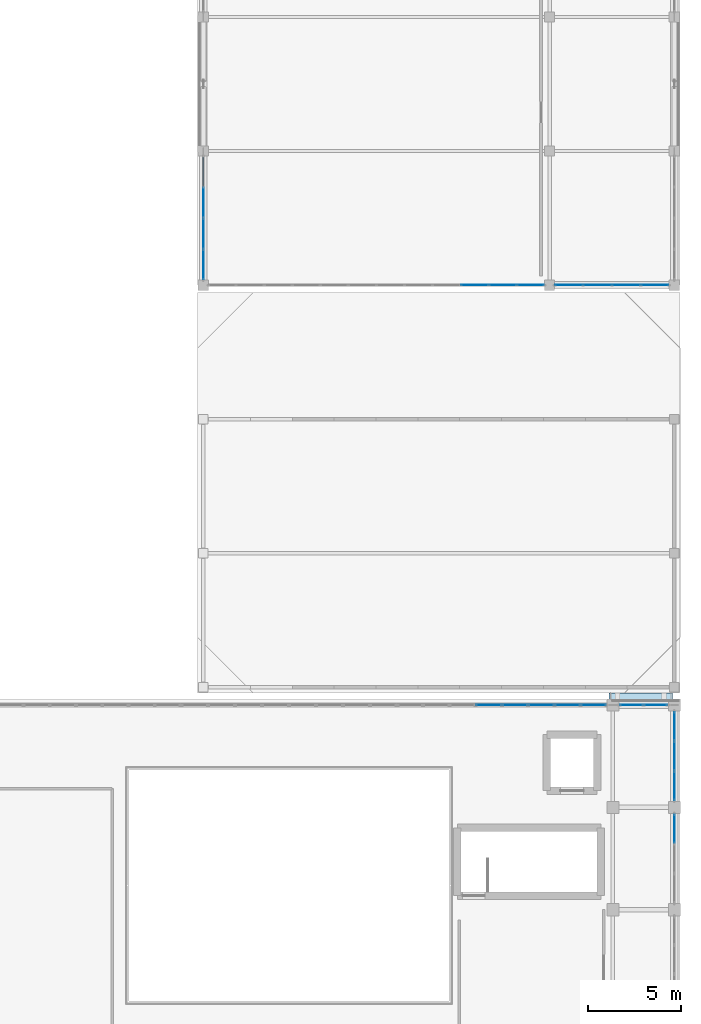
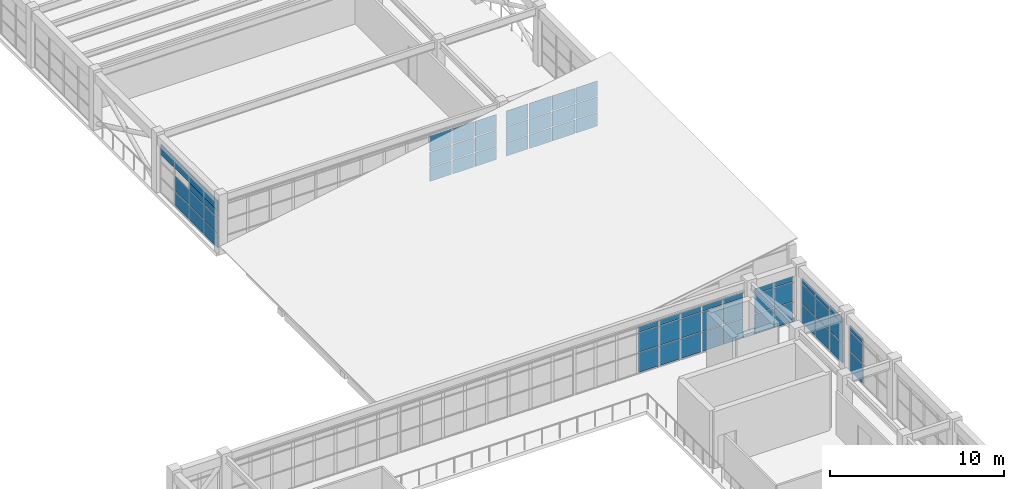
# One storey, part 46 of 66: 63 plates, 1 slab, 7 elements without a shape of their own.
"""IFC4 building model written with IfcOpenShell, lengths in metres."""

from ifc_helpers import new_model, si_unit, direction, frame, origin, origin_2d, place, context, subcontext, project, spatial, polyline, rectangle, outline, extrude, material, layer, layer_set, type_object, element, aggregate, save


model = new_model("IFC4")

# Units and contexts
model_context = context("Model", 3, precision=1e-05, world=origin(), true_north=direction((0.0, 1.0)))
body_context = subcontext(model_context, "Body", "Model", "MODEL_VIEW")
ifc_project = project(units=[si_unit("LENGTHUNIT", "METRE"), si_unit("AREAUNIT", "SQUARE_METRE"), si_unit("VOLUMEUNIT", "CUBIC_METRE"), si_unit("PLANEANGLEUNIT", "RADIAN"), si_unit("MASSUNIT", "GRAM", prefix="KILO")], contexts=[model_context])

# Site, building, storey
site_placement = place(None, origin())
site = spatial("IfcSite", under=ifc_project, at=site_placement, CompositionType="ELEMENT")
building_placement = place(site_placement, origin())
building = spatial("IfcBuilding", under=site, at=building_placement, Name="Candilejo Ridge Gondola Terminal", CompositionType="ELEMENT")
storey_placement = place(building_placement, frame((0.0, 0.0, 14.39990234375)))
storey = spatial("IfcBuildingStorey", under=building, at=storey_placement, Name="L03", CompositionType="ELEMENT", Elevation=14.39990234375)

# Curtain wall, plates
ifc_material_1 = material(Name="Anodised aluminium AA 6063-T6", Category="aluminium")
ifc_layer_1 = layer(ifc_material_1, 0.169921875)
ifc_layer_set_1 = layer_set([ifc_layer_1], Name="ARC-CW-HALL-3800-485X329")
curtain_wall_type_1 = type_object("IfcCurtainWallType", Name="ARC-CW-HALL-3800-485X329", PredefinedType="NOTDEFINED", material=ifc_layer_set_1)
curtain_wall_1_placement = place(storey_placement, origin())
curtain_wall_1 = element("IfcCurtainWall", 1, at=curtain_wall_1_placement, inside=storey, type_object=curtain_wall_type_1, Name="Curtain wall V4 L03-161", PredefinedType="NOTDEFINED")
ifc_material_2 = material(Name="Low-E laminated double glazing 6+12A+6+1.52PVB+6 mm", Category="glass")
ifc_layer_2 = layer(ifc_material_2, 0.028076171875)
ifc_layer_set_2 = layer_set([ifc_layer_2], Name="ARC-CW-GLAZ-PANEL")
plate_type_1 = type_object("IfcPlateType", Name="ARC-CW-GLAZ-PANEL", PredefinedType="CURTAIN_PANEL", material=ifc_layer_set_2)
plate_1_placement = place(storey_placement, frame((175.300048828125, 41.050537109375, 0.06005859375), z_axis=(0.0, 0.0, 1.0), x_axis=(0.0, 1.0, 0.0)))
plate_1 = element("IfcPlate", 2, at=plate_1_placement, type_object=plate_type_1, Name="CW-48X32 panel 3.1", PredefinedType="CURTAIN_PANEL", context=body_context, shape_type="SweptSolid", body=[
    extrude(rectangle(XDim=1.519287109375, YDim=0.028076171875, at=origin_2d()), origin(), (0.0, 0.0, 1.0), 1.360107421875),
])
plate_2_placement = place(storey_placement, frame((175.300048828125, 41.050537109375, 1.47998046875), z_axis=(0.0, 0.0, 1.0), x_axis=(0.0, 1.0, 0.0)))
plate_2 = element("IfcPlate", 3, at=plate_2_placement, type_object=plate_type_1, Name="CW-48X32 panel 3.2", PredefinedType="CURTAIN_PANEL", context=body_context, shape_type="SweptSolid", body=[
    extrude(rectangle(XDim=1.519287109375, YDim=0.028076171875, at=origin_2d()), origin(), (0.0, 0.0, 1.0), 1.340087890625),
])
plate_3_placement = place(storey_placement, frame((175.300048828125, 41.050537109375, 2.880126953125), z_axis=(0.0, 0.0, 1.0), x_axis=(0.0, 1.0, 0.0)))
plate_3 = element("IfcPlate", 4, at=plate_3_placement, type_object=plate_type_1, Name="CW-48X32 panel 3.3", PredefinedType="CURTAIN_PANEL", context=body_context, shape_type="SweptSolid", body=[
    extrude(rectangle(XDim=1.519287109375, YDim=0.028076171875, at=origin_2d()), origin(), (0.0, 0.0, 1.0), 0.35009765625),
])
aggregate(curtain_wall_1, [plate_1, plate_2, plate_3])

curtain_wall_2_placement = place(storey_placement, origin())
curtain_wall_2 = element("IfcCurtainWall", 5, at=curtain_wall_2_placement, inside=storey, type_object=curtain_wall_type_1, Name="Curtain wall V4 L03-163", PredefinedType="NOTDEFINED")
plate_4_placement = place(storey_placement, frame((175.300048828125, 43.349609375, 0.06005859375), z_axis=(0.0, 0.0, 1.0), x_axis=(0.0, 1.0, 0.0)))
plate_4 = element("IfcPlate", 6, at=plate_4_placement, type_object=plate_type_1, Name="CW-48X32 panel 1.1", PredefinedType="CURTAIN_PANEL", context=body_context, shape_type="SweptSolid", body=[
    extrude(rectangle(XDim=1.519287109375, YDim=0.028076171875, at=origin_2d()), origin(), (0.0, 0.0, 1.0), 1.360107421875),
])
plate_5_placement = place(storey_placement, frame((175.300048828125, 43.349609375, 1.47998046875), z_axis=(0.0, 0.0, 1.0), x_axis=(0.0, 1.0, 0.0)))
plate_5 = element("IfcPlate", 7, at=plate_5_placement, type_object=plate_type_1, Name="CW-48X32 panel 1.2", PredefinedType="CURTAIN_PANEL", context=body_context, shape_type="SweptSolid", body=[
    extrude(rectangle(XDim=1.519287109375, YDim=0.028076171875, at=origin_2d()), origin(), (0.0, 0.0, 1.0), 1.340087890625),
])
plate_6_placement = place(storey_placement, frame((175.300048828125, 43.349609375, 2.880126953125), z_axis=(0.0, 0.0, 1.0), x_axis=(0.0, 1.0, 0.0)))
plate_6 = element("IfcPlate", 8, at=plate_6_placement, type_object=plate_type_1, Name="CW-48X32 panel 1.3", PredefinedType="CURTAIN_PANEL", context=body_context, shape_type="SweptSolid", body=[
    extrude(rectangle(XDim=1.519287109375, YDim=0.028076171875, at=origin_2d()), origin(), (0.0, 0.0, 1.0), 0.35009765625),
])
plate_7_placement = place(storey_placement, frame((175.300048828125, 44.949951171875, 0.06005859375), z_axis=(0.0, 0.0, 1.0), x_axis=(0.0, 1.0, 0.0)))
plate_7 = element("IfcPlate", 9, at=plate_7_placement, type_object=plate_type_1, Name="CW-48X32 panel 2.1", PredefinedType="CURTAIN_PANEL", context=body_context, shape_type="SweptSolid", body=[
    extrude(rectangle(XDim=1.5517578125, YDim=0.028076171875, at=origin_2d()), origin(), (0.0, 0.0, 1.0), 1.360107421875),
])
plate_8_placement = place(storey_placement, frame((175.300048828125, 44.949951171875, 1.47998046875), z_axis=(0.0, 0.0, 1.0), x_axis=(0.0, 1.0, 0.0)))
plate_8 = element("IfcPlate", 10, at=plate_8_placement, type_object=plate_type_1, Name="CW-48X32 panel 2.2", PredefinedType="CURTAIN_PANEL", context=body_context, shape_type="SweptSolid", body=[
    extrude(rectangle(XDim=1.5517578125, YDim=0.028076171875, at=origin_2d()), origin(), (0.0, 0.0, 1.0), 1.340087890625),
])
plate_9_placement = place(storey_placement, frame((175.300048828125, 44.949951171875, 2.880126953125), z_axis=(0.0, 0.0, 1.0), x_axis=(0.0, 1.0, 0.0)))
plate_9 = element("IfcPlate", 11, at=plate_9_placement, type_object=plate_type_1, Name="CW-48X32 panel 2.3", PredefinedType="CURTAIN_PANEL", context=body_context, shape_type="SweptSolid", body=[
    extrude(rectangle(XDim=1.5517578125, YDim=0.028076171875, at=origin_2d()), origin(), (0.0, 0.0, 1.0), 0.35009765625),
])
plate_10_placement = place(storey_placement, frame((175.300048828125, 46.550537109375, 0.06005859375), z_axis=(0.0, 0.0, 1.0), x_axis=(0.0, 1.0, 0.0)))
plate_10 = element("IfcPlate", 12, at=plate_10_placement, type_object=plate_type_1, Name="CW-48X32 panel 3.1", PredefinedType="CURTAIN_PANEL", context=body_context, shape_type="SweptSolid", body=[
    extrude(rectangle(XDim=1.519287109375, YDim=0.028076171875, at=origin_2d()), origin(), (0.0, 0.0, 1.0), 1.360107421875),
])
plate_11_placement = place(storey_placement, frame((175.300048828125, 46.550537109375, 1.47998046875), z_axis=(0.0, 0.0, 1.0), x_axis=(0.0, 1.0, 0.0)))
plate_11 = element("IfcPlate", 13, at=plate_11_placement, type_object=plate_type_1, Name="CW-48X32 panel 3.2", PredefinedType="CURTAIN_PANEL", context=body_context, shape_type="SweptSolid", body=[
    extrude(rectangle(XDim=1.519287109375, YDim=0.028076171875, at=origin_2d()), origin(), (0.0, 0.0, 1.0), 1.340087890625),
])
plate_12_placement = place(storey_placement, frame((175.300048828125, 46.550537109375, 2.880126953125), z_axis=(0.0, 0.0, 1.0), x_axis=(0.0, 1.0, 0.0)))
plate_12 = element("IfcPlate", 14, at=plate_12_placement, type_object=plate_type_1, Name="CW-48X32 panel 3.3", PredefinedType="CURTAIN_PANEL", context=body_context, shape_type="SweptSolid", body=[
    extrude(rectangle(XDim=1.519287109375, YDim=0.028076171875, at=origin_2d()), origin(), (0.0, 0.0, 1.0), 0.35009765625),
])
aggregate(curtain_wall_2, [plate_4, plate_5, plate_6, plate_7, plate_8, plate_9, plate_10, plate_11, plate_12])

ifc_material_3 = material(Name="Anodised aluminium AA 6063-T6", Category="aluminium")
ifc_layer_3 = layer(ifc_material_3, 0.169921875)
ifc_layer_set_3 = layer_set([ifc_layer_3], Name="ARC-CW-HALL-3800-265X329")
curtain_wall_type_2 = type_object("IfcCurtainWallType", Name="ARC-CW-HALL-3800-265X329", PredefinedType="NOTDEFINED", material=ifc_layer_set_3)
curtain_wall_3_placement = place(storey_placement, origin())
curtain_wall_3 = element("IfcCurtainWall", 15, at=curtain_wall_3_placement, inside=storey, type_object=curtain_wall_type_2, Name="Curtain wall V4 L03-170", PredefinedType="NOTDEFINED")
plate_13_placement = place(storey_placement, frame((173.003662109375, 47.699951171875, 0.06005859375), z_axis=(0.0, 0.0, 1.0), x_axis=(1.0, 0.0, 0.0)))
plate_13 = element("IfcPlate", 16, at=plate_13_placement, type_object=plate_type_1, Name="CW-26X32 panel 1.1", PredefinedType="CURTAIN_PANEL", context=body_context, shape_type="SweptSolid", body=[
    extrude(rectangle(XDim=1.2275390625, YDim=0.028076171875, at=origin_2d()), origin(), (0.0, 0.0, 1.0), 1.360107421875),
])
plate_14_placement = place(storey_placement, frame((173.003662109375, 47.699951171875, 1.47998046875), z_axis=(0.0, 0.0, 1.0), x_axis=(1.0, 0.0, 0.0)))
plate_14 = element("IfcPlate", 17, at=plate_14_placement, type_object=plate_type_1, Name="CW-26X32 panel 1.2", PredefinedType="CURTAIN_PANEL", context=body_context, shape_type="SweptSolid", body=[
    extrude(rectangle(XDim=1.2275390625, YDim=0.028076171875, at=origin_2d()), origin(), (0.0, 0.0, 1.0), 1.340087890625),
])
plate_15_placement = place(storey_placement, frame((173.003662109375, 47.699951171875, 2.880126953125), z_axis=(0.0, 0.0, 1.0), x_axis=(1.0, 0.0, 0.0)))
plate_15 = element("IfcPlate", 18, at=plate_15_placement, type_object=plate_type_1, Name="CW-26X32 panel 1.3", PredefinedType="CURTAIN_PANEL", context=body_context, shape_type="SweptSolid", body=[
    extrude(rectangle(XDim=1.2275390625, YDim=0.028076171875, at=origin_2d()), origin(), (0.0, 0.0, 1.0), 0.35009765625),
])
plate_16_placement = place(storey_placement, frame((174.296142578125, 47.699951171875, 0.06005859375), z_axis=(0.0, 0.0, 1.0), x_axis=(1.0, 0.0, 0.0)))
plate_16 = element("IfcPlate", 19, at=plate_16_placement, type_object=plate_type_1, Name="CW-26X32 panel 2.1", PredefinedType="CURTAIN_PANEL", context=body_context, shape_type="SweptSolid", body=[
    extrude(rectangle(XDim=1.2275390625, YDim=0.028076171875, at=origin_2d()), origin(), (0.0, 0.0, 1.0), 1.360107421875),
])
plate_17_placement = place(storey_placement, frame((174.296142578125, 47.699951171875, 1.47998046875), z_axis=(0.0, 0.0, 1.0), x_axis=(1.0, 0.0, 0.0)))
plate_17 = element("IfcPlate", 20, at=plate_17_placement, type_object=plate_type_1, Name="CW-26X32 panel 2.2", PredefinedType="CURTAIN_PANEL", context=body_context, shape_type="SweptSolid", body=[
    extrude(rectangle(XDim=1.2275390625, YDim=0.028076171875, at=origin_2d()), origin(), (0.0, 0.0, 1.0), 1.340087890625),
])
plate_18_placement = place(storey_placement, frame((174.296142578125, 47.699951171875, 2.880126953125), z_axis=(0.0, 0.0, 1.0), x_axis=(1.0, 0.0, 0.0)))
plate_18 = element("IfcPlate", 21, at=plate_18_placement, type_object=plate_type_1, Name="CW-26X32 panel 2.3", PredefinedType="CURTAIN_PANEL", context=body_context, shape_type="SweptSolid", body=[
    extrude(rectangle(XDim=1.2275390625, YDim=0.028076171875, at=origin_2d()), origin(), (0.0, 0.0, 1.0), 0.35009765625),
])
aggregate(curtain_wall_3, [plate_13, plate_14, plate_15, plate_16, plate_17, plate_18])

ifc_material_4 = material(Name="Anodised aluminium AA 6063-T6", Category="aluminium")
ifc_layer_4 = layer(ifc_material_4, 0.169921875)
ifc_layer_set_4 = layer_set([ifc_layer_4], Name="ARC-CW-HALL-3800-1128X329")
curtain_wall_type_3 = type_object("IfcCurtainWallType", Name="ARC-CW-HALL-3800-1128X329", PredefinedType="NOTDEFINED", material=ifc_layer_set_4)
curtain_wall_4_placement = place(storey_placement, origin())
curtain_wall_4 = element("IfcCurtainWall", 22, at=curtain_wall_4_placement, inside=storey, type_object=curtain_wall_type_3, Name="Curtain wall V4 L03-173", PredefinedType="NOTDEFINED")
plate_19_placement = place(storey_placement, frame((165.332763671875, 47.699951171875, 0.06005859375), z_axis=(0.0, 0.0, 1.0), x_axis=(1.0, 0.0, 0.0)))
plate_19 = element("IfcPlate", 23, at=plate_19_placement, type_object=plate_type_1, Name="CW-112X32 panel 4.1", PredefinedType="CURTAIN_PANEL", context=body_context, shape_type="SweptSolid", body=[
    extrude(rectangle(XDim=1.344482421875, YDim=0.028076171875, at=origin_2d()), origin(), (0.0, 0.0, 1.0), 1.360107421875),
])
plate_20_placement = place(storey_placement, frame((165.332763671875, 47.699951171875, 1.47998046875), z_axis=(0.0, 0.0, 1.0), x_axis=(1.0, 0.0, 0.0)))
plate_20 = element("IfcPlate", 24, at=plate_20_placement, type_object=plate_type_1, Name="CW-112X32 panel 4.2", PredefinedType="CURTAIN_PANEL", context=body_context, shape_type="SweptSolid", body=[
    extrude(rectangle(XDim=1.344482421875, YDim=0.028076171875, at=origin_2d()), origin(), (0.0, 0.0, 1.0), 1.340087890625),
])
plate_21_placement = place(storey_placement, frame((165.332763671875, 47.699951171875, 2.880126953125), z_axis=(0.0, 0.0, 1.0), x_axis=(1.0, 0.0, 0.0)))
plate_21 = element("IfcPlate", 25, at=plate_21_placement, type_object=plate_type_1, Name="CW-112X32 panel 4.3", PredefinedType="CURTAIN_PANEL", context=body_context, shape_type="SweptSolid", body=[
    extrude(rectangle(XDim=1.344482421875, YDim=0.028076171875, at=origin_2d()), origin(), (0.0, 0.0, 1.0), 0.35009765625),
])
plate_22_placement = place(storey_placement, frame((166.7421875, 47.699951171875, 0.06005859375), z_axis=(0.0, 0.0, 1.0), x_axis=(1.0, 0.0, 0.0)))
plate_22 = element("IfcPlate", 26, at=plate_22_placement, type_object=plate_type_1, Name="CW-112X32 panel 5.1", PredefinedType="CURTAIN_PANEL", context=body_context, shape_type="SweptSolid", body=[
    extrude(rectangle(XDim=1.344482421875, YDim=0.028076171875, at=origin_2d()), origin(), (0.0, 0.0, 1.0), 1.360107421875),
])
plate_23_placement = place(storey_placement, frame((166.7421875, 47.699951171875, 1.47998046875), z_axis=(0.0, 0.0, 1.0), x_axis=(1.0, 0.0, 0.0)))
plate_23 = element("IfcPlate", 27, at=plate_23_placement, type_object=plate_type_1, Name="CW-112X32 panel 5.2", PredefinedType="CURTAIN_PANEL", context=body_context, shape_type="SweptSolid", body=[
    extrude(rectangle(XDim=1.344482421875, YDim=0.028076171875, at=origin_2d()), origin(), (0.0, 0.0, 1.0), 1.340087890625),
])
plate_24_placement = place(storey_placement, frame((166.7421875, 47.699951171875, 2.880126953125), z_axis=(0.0, 0.0, 1.0), x_axis=(1.0, 0.0, 0.0)))
plate_24 = element("IfcPlate", 28, at=plate_24_placement, type_object=plate_type_1, Name="CW-112X32 panel 5.3", PredefinedType="CURTAIN_PANEL", context=body_context, shape_type="SweptSolid", body=[
    extrude(rectangle(XDim=1.344482421875, YDim=0.028076171875, at=origin_2d()), origin(), (0.0, 0.0, 1.0), 0.35009765625),
])
plate_25_placement = place(storey_placement, frame((168.151611328125, 47.699951171875, 0.06005859375), z_axis=(0.0, 0.0, 1.0), x_axis=(1.0, 0.0, 0.0)))
plate_25 = element("IfcPlate", 29, at=plate_25_placement, type_object=plate_type_1, Name="CW-112X32 panel 6.1", PredefinedType="CURTAIN_PANEL", context=body_context, shape_type="SweptSolid", body=[
    extrude(rectangle(XDim=1.344482421875, YDim=0.028076171875, at=origin_2d()), origin(), (0.0, 0.0, 1.0), 1.360107421875),
])
plate_26_placement = place(storey_placement, frame((168.151611328125, 47.699951171875, 1.47998046875), z_axis=(0.0, 0.0, 1.0), x_axis=(1.0, 0.0, 0.0)))
plate_26 = element("IfcPlate", 30, at=plate_26_placement, type_object=plate_type_1, Name="CW-112X32 panel 6.2", PredefinedType="CURTAIN_PANEL", context=body_context, shape_type="SweptSolid", body=[
    extrude(rectangle(XDim=1.344482421875, YDim=0.028076171875, at=origin_2d()), origin(), (0.0, 0.0, 1.0), 1.340087890625),
])
plate_27_placement = place(storey_placement, frame((168.151611328125, 47.699951171875, 2.880126953125), z_axis=(0.0, 0.0, 1.0), x_axis=(1.0, 0.0, 0.0)))
plate_27 = element("IfcPlate", 31, at=plate_27_placement, type_object=plate_type_1, Name="CW-112X32 panel 6.3", PredefinedType="CURTAIN_PANEL", context=body_context, shape_type="SweptSolid", body=[
    extrude(rectangle(XDim=1.344482421875, YDim=0.028076171875, at=origin_2d()), origin(), (0.0, 0.0, 1.0), 0.35009765625),
])
plate_28_placement = place(storey_placement, frame((169.56103515625, 47.699951171875, 0.06005859375), z_axis=(0.0, 0.0, 1.0), x_axis=(1.0, 0.0, 0.0)))
plate_28 = element("IfcPlate", 32, at=plate_28_placement, type_object=plate_type_1, Name="CW-112X32 panel 7.1", PredefinedType="CURTAIN_PANEL", context=body_context, shape_type="SweptSolid", body=[
    extrude(rectangle(XDim=1.344482421875, YDim=0.028076171875, at=origin_2d()), origin(), (0.0, 0.0, 1.0), 1.360107421875),
])
plate_29_placement = place(storey_placement, frame((169.56103515625, 47.699951171875, 1.47998046875), z_axis=(0.0, 0.0, 1.0), x_axis=(1.0, 0.0, 0.0)))
plate_29 = element("IfcPlate", 33, at=plate_29_placement, type_object=plate_type_1, Name="CW-112X32 panel 7.2", PredefinedType="CURTAIN_PANEL", context=body_context, shape_type="SweptSolid", body=[
    extrude(rectangle(XDim=1.344482421875, YDim=0.028076171875, at=origin_2d()), origin(), (0.0, 0.0, 1.0), 1.340087890625),
])
plate_30_placement = place(storey_placement, frame((169.56103515625, 47.699951171875, 2.880126953125), z_axis=(0.0, 0.0, 1.0), x_axis=(1.0, 0.0, 0.0)))
plate_30 = element("IfcPlate", 34, at=plate_30_placement, type_object=plate_type_1, Name="CW-112X32 panel 7.3", PredefinedType="CURTAIN_PANEL", context=body_context, shape_type="SweptSolid", body=[
    extrude(rectangle(XDim=1.344482421875, YDim=0.028076171875, at=origin_2d()), origin(), (0.0, 0.0, 1.0), 0.35009765625),
])
plate_31_placement = place(storey_placement, frame((170.9541015625, 47.699951171875, 0.06005859375), z_axis=(0.0, 0.0, 1.0), x_axis=(1.0, 0.0, 0.0)))
plate_31 = element("IfcPlate", 35, at=plate_31_placement, type_object=plate_type_1, Name="CW-112X32 panel 8.1", PredefinedType="CURTAIN_PANEL", context=body_context, shape_type="SweptSolid", body=[
    extrude(rectangle(XDim=1.311767578125, YDim=0.028076171875, at=origin_2d()), origin(), (0.0, 0.0, 1.0), 1.360107421875),
])
plate_32_placement = place(storey_placement, frame((170.9541015625, 47.699951171875, 1.47998046875), z_axis=(0.0, 0.0, 1.0), x_axis=(1.0, 0.0, 0.0)))
plate_32 = element("IfcPlate", 36, at=plate_32_placement, type_object=plate_type_1, Name="CW-112X32 panel 8.2", PredefinedType="CURTAIN_PANEL", context=body_context, shape_type="SweptSolid", body=[
    extrude(rectangle(XDim=1.311767578125, YDim=0.028076171875, at=origin_2d()), origin(), (0.0, 0.0, 1.0), 1.340087890625),
])
plate_33_placement = place(storey_placement, frame((170.9541015625, 47.699951171875, 2.880126953125), z_axis=(0.0, 0.0, 1.0), x_axis=(1.0, 0.0, 0.0)))
plate_33 = element("IfcPlate", 37, at=plate_33_placement, type_object=plate_type_1, Name="CW-112X32 panel 8.3", PredefinedType="CURTAIN_PANEL", context=body_context, shape_type="SweptSolid", body=[
    extrude(rectangle(XDim=1.311767578125, YDim=0.028076171875, at=origin_2d()), origin(), (0.0, 0.0, 1.0), 0.35009765625),
])
aggregate(curtain_wall_4, [plate_19, plate_20, plate_21, plate_22, plate_23, plate_24, plate_25, plate_26, plate_27, plate_28, plate_29, plate_30, plate_31, plate_32, plate_33])

ifc_material_5 = material(Name="Anodised aluminium AA 6063-T6", Category="aluminium")
ifc_layer_5 = layer(ifc_material_5, 0.169921875)
ifc_layer_set_5 = layer_set([ifc_layer_5], Name="ARC-CW-TOWER-3000-670X329")
curtain_wall_type_4 = type_object("IfcCurtainWallType", Name="ARC-CW-TOWER-3000-670X329", PredefinedType="NOTDEFINED", material=ifc_layer_set_5)
curtain_wall_5_placement = place(storey_placement, origin())
curtain_wall_5 = element("IfcCurtainWall", 38, at=curtain_wall_5_placement, inside=storey, type_object=curtain_wall_type_4, Name="Curtain wall V5 L03-196", PredefinedType="NOTDEFINED")
plate_34_placement = place(storey_placement, frame((150.0, 71.353759765625, 0.06005859375), z_axis=(0.0, 0.0, 1.0), x_axis=(0.0, 1.0, 0.0)))
plate_34 = element("IfcPlate", 39, at=plate_34_placement, type_object=plate_type_1, Name="CW-67X32 panel 1.1", PredefinedType="CURTAIN_PANEL", context=body_context, shape_type="SweptSolid", body=[
    extrude(rectangle(XDim=1.577392578125, YDim=0.028076171875, at=origin_2d()), origin(), (0.0, 0.0, 1.0), 0.9599609375),
])
plate_35_placement = place(storey_placement, frame((150.0, 71.353759765625, 1.080078125), z_axis=(0.0, 0.0, 1.0), x_axis=(0.0, 1.0, 0.0)))
plate_35 = element("IfcPlate", 40, at=plate_35_placement, type_object=plate_type_1, Name="CW-67X32 panel 1.2", PredefinedType="CURTAIN_PANEL", context=body_context, shape_type="SweptSolid", body=[
    extrude(rectangle(XDim=1.577392578125, YDim=0.028076171875, at=origin_2d()), origin(), (0.0, 0.0, 1.0), 1.0400390625),
])
plate_36_placement = place(storey_placement, frame((150.0, 71.353759765625, 2.18017578125), z_axis=(0.0, 0.0, 1.0), x_axis=(0.0, 1.0, 0.0)))
plate_36 = element("IfcPlate", 41, at=plate_36_placement, type_object=plate_type_1, Name="CW-67X32 panel 1.3", PredefinedType="CURTAIN_PANEL", context=body_context, shape_type="SweptSolid", body=[
    extrude(rectangle(XDim=1.577392578125, YDim=0.028076171875, at=origin_2d()), origin(), (0.0, 0.0, 1.0), 1.050048828125),
])
plate_37_placement = place(storey_placement, frame((150.0, 73.012451171875, 0.06005859375), z_axis=(0.0, 0.0, 1.0), x_axis=(0.0, 1.0, 0.0)))
plate_37 = element("IfcPlate", 42, at=plate_37_placement, type_object=plate_type_1, Name="CW-67X32 panel 2.1", PredefinedType="CURTAIN_PANEL", context=body_context, shape_type="SweptSolid", body=[
    extrude(rectangle(XDim=1.610107421875, YDim=0.028076171875, at=origin_2d()), origin(), (0.0, 0.0, 1.0), 0.9599609375),
])
plate_38_placement = place(storey_placement, frame((150.0, 73.012451171875, 1.080078125), z_axis=(0.0, 0.0, 1.0), x_axis=(0.0, 1.0, 0.0)))
plate_38 = element("IfcPlate", 43, at=plate_38_placement, type_object=plate_type_1, Name="CW-67X32 panel 2.2", PredefinedType="CURTAIN_PANEL", context=body_context, shape_type="SweptSolid", body=[
    extrude(rectangle(XDim=1.610107421875, YDim=0.028076171875, at=origin_2d()), origin(), (0.0, 0.0, 1.0), 1.0400390625),
])
plate_39_placement = place(storey_placement, frame((150.0, 73.012451171875, 2.18017578125), z_axis=(0.0, 0.0, 1.0), x_axis=(0.0, 1.0, 0.0)))
plate_39 = element("IfcPlate", 44, at=plate_39_placement, type_object=plate_type_1, Name="CW-67X32 panel 2.3", PredefinedType="CURTAIN_PANEL", context=body_context, shape_type="SweptSolid", body=[
    extrude(rectangle(XDim=1.610107421875, YDim=0.028076171875, at=origin_2d()), origin(), (0.0, 0.0, 1.0), 1.050048828125),
])
plate_40_placement = place(storey_placement, frame((150.0, 74.6875, 0.06005859375), z_axis=(0.0, 0.0, 1.0), x_axis=(0.0, 1.0, 0.0)))
plate_40 = element("IfcPlate", 45, at=plate_40_placement, type_object=plate_type_1, Name="CW-67X32 panel 3.1", PredefinedType="CURTAIN_PANEL", context=body_context, shape_type="SweptSolid", body=[
    extrude(rectangle(XDim=1.610107421875, YDim=0.028076171875, at=origin_2d()), origin(), (0.0, 0.0, 1.0), 0.9599609375),
])
plate_41_placement = place(storey_placement, frame((150.0, 74.6875, 1.080078125), z_axis=(0.0, 0.0, 1.0), x_axis=(0.0, 1.0, 0.0)))
plate_41 = element("IfcPlate", 46, at=plate_41_placement, type_object=plate_type_1, Name="CW-67X32 panel 3.2", PredefinedType="CURTAIN_PANEL", context=body_context, shape_type="SweptSolid", body=[
    extrude(rectangle(XDim=1.610107421875, YDim=0.028076171875, at=origin_2d()), origin(), (0.0, 0.0, 1.0), 1.0400390625),
])
aggregate(curtain_wall_5, [plate_34, plate_35, plate_36, plate_37, plate_38, plate_39, plate_40, plate_41])

ifc_material_6 = material(Name="Anodised aluminium AA 6063-T6", Category="aluminium")
ifc_layer_6 = layer(ifc_material_6, 0.169921875)
ifc_layer_set_6 = layer_set([ifc_layer_6], Name="ARC-CW-TOWER-3000-1810X329")
curtain_wall_type_5 = type_object("IfcCurtainWallType", Name="ARC-CW-TOWER-3000-1810X329", PredefinedType="NOTDEFINED", material=ifc_layer_set_6)
curtain_wall_6_placement = place(storey_placement, origin())
curtain_wall_6 = element("IfcCurtainWall", 47, at=curtain_wall_6_placement, inside=storey, type_object=curtain_wall_type_5, Name="Curtain wall V5 L03-208", PredefinedType="NOTDEFINED")
plate_42_placement = place(storey_placement, frame((164.5791015625, 70.25, 0.06005859375), z_axis=(0.0, 0.0, 1.0), x_axis=(1.0, 0.0, 0.0)))
plate_42 = element("IfcPlate", 48, at=plate_42_placement, type_object=plate_type_1, Name="CW-181X32 panel 10.1", PredefinedType="CURTAIN_PANEL", context=body_context, shape_type="SweptSolid", body=[
    extrude(rectangle(XDim=1.443359375, YDim=0.028076171875, at=origin_2d()), origin(), (0.0, 0.0, 1.0), 0.9599609375),
])
plate_43_placement = place(storey_placement, frame((164.5791015625, 70.25, 1.080078125), z_axis=(0.0, 0.0, 1.0), x_axis=(1.0, 0.0, 0.0)))
plate_43 = element("IfcPlate", 49, at=plate_43_placement, type_object=plate_type_1, Name="CW-181X32 panel 10.2", PredefinedType="CURTAIN_PANEL", context=body_context, shape_type="SweptSolid", body=[
    extrude(rectangle(XDim=1.443359375, YDim=0.028076171875, at=origin_2d()), origin(), (0.0, 0.0, 1.0), 1.0400390625),
])
plate_44_placement = place(storey_placement, frame((164.5791015625, 70.25, 2.18017578125), z_axis=(0.0, 0.0, 1.0), x_axis=(1.0, 0.0, 0.0)))
plate_44 = element("IfcPlate", 50, at=plate_44_placement, type_object=plate_type_1, Name="CW-181X32 panel 10.3", PredefinedType="CURTAIN_PANEL", context=body_context, shape_type="SweptSolid", body=[
    extrude(rectangle(XDim=1.443359375, YDim=0.028076171875, at=origin_2d()), origin(), (0.0, 0.0, 1.0), 1.050048828125),
])
plate_45_placement = place(storey_placement, frame((166.08740234375, 70.25, 0.06005859375), z_axis=(0.0, 0.0, 1.0), x_axis=(1.0, 0.0, 0.0)))
plate_45 = element("IfcPlate", 51, at=plate_45_placement, type_object=plate_type_1, Name="CW-181X32 panel 11.1", PredefinedType="CURTAIN_PANEL", context=body_context, shape_type="SweptSolid", body=[
    extrude(rectangle(XDim=1.443359375, YDim=0.028076171875, at=origin_2d()), origin(), (0.0, 0.0, 1.0), 0.9599609375),
])
plate_46_placement = place(storey_placement, frame((166.08740234375, 70.25, 1.080078125), z_axis=(0.0, 0.0, 1.0), x_axis=(1.0, 0.0, 0.0)))
plate_46 = element("IfcPlate", 52, at=plate_46_placement, type_object=plate_type_1, Name="CW-181X32 panel 11.2", PredefinedType="CURTAIN_PANEL", context=body_context, shape_type="SweptSolid", body=[
    extrude(rectangle(XDim=1.443359375, YDim=0.028076171875, at=origin_2d()), origin(), (0.0, 0.0, 1.0), 1.0400390625),
])
plate_47_placement = place(storey_placement, frame((166.08740234375, 70.25, 2.18017578125), z_axis=(0.0, 0.0, 1.0), x_axis=(1.0, 0.0, 0.0)))
plate_47 = element("IfcPlate", 53, at=plate_47_placement, type_object=plate_type_1, Name="CW-181X32 panel 11.3", PredefinedType="CURTAIN_PANEL", context=body_context, shape_type="SweptSolid", body=[
    extrude(rectangle(XDim=1.443359375, YDim=0.028076171875, at=origin_2d()), origin(), (0.0, 0.0, 1.0), 1.050048828125),
])
plate_48_placement = place(storey_placement, frame((167.57958984375, 70.25, 0.06005859375), z_axis=(0.0, 0.0, 1.0), x_axis=(1.0, 0.0, 0.0)))
plate_48 = element("IfcPlate", 54, at=plate_48_placement, type_object=plate_type_1, Name="CW-181X32 panel 12.1", PredefinedType="CURTAIN_PANEL", context=body_context, shape_type="SweptSolid", body=[
    extrude(rectangle(XDim=1.410888671875, YDim=0.028076171875, at=origin_2d()), origin(), (0.0, 0.0, 1.0), 0.9599609375),
])
plate_49_placement = place(storey_placement, frame((167.57958984375, 70.25, 1.080078125), z_axis=(0.0, 0.0, 1.0), x_axis=(1.0, 0.0, 0.0)))
plate_49 = element("IfcPlate", 55, at=plate_49_placement, type_object=plate_type_1, Name="CW-181X32 panel 12.2", PredefinedType="CURTAIN_PANEL", context=body_context, shape_type="SweptSolid", body=[
    extrude(rectangle(XDim=1.410888671875, YDim=0.028076171875, at=origin_2d()), origin(), (0.0, 0.0, 1.0), 1.0400390625),
])
plate_50_placement = place(storey_placement, frame((167.57958984375, 70.25, 2.18017578125), z_axis=(0.0, 0.0, 1.0), x_axis=(1.0, 0.0, 0.0)))
plate_50 = element("IfcPlate", 56, at=plate_50_placement, type_object=plate_type_1, Name="CW-181X32 panel 12.3", PredefinedType="CURTAIN_PANEL", context=body_context, shape_type="SweptSolid", body=[
    extrude(rectangle(XDim=1.410888671875, YDim=0.028076171875, at=origin_2d()), origin(), (0.0, 0.0, 1.0), 1.050048828125),
])
aggregate(curtain_wall_6, [plate_42, plate_43, plate_44, plate_45, plate_46, plate_47, plate_48, plate_49, plate_50])

ifc_material_7 = material(Name="Anodised aluminium AA 6063-T6", Category="aluminium")
ifc_layer_7 = layer(ifc_material_7, 0.169921875)
ifc_layer_set_7 = layer_set([ifc_layer_7], Name="ARC-CW-TOWER-3000-620X329")
curtain_wall_type_6 = type_object("IfcCurtainWallType", Name="ARC-CW-TOWER-3000-620X329", PredefinedType="NOTDEFINED", material=ifc_layer_set_7)
curtain_wall_7_placement = place(storey_placement, origin())
curtain_wall_7 = element("IfcCurtainWall", 57, at=curtain_wall_7_placement, inside=storey, type_object=curtain_wall_type_6, Name="Curtain wall V5 L03-210", PredefinedType="NOTDEFINED")
plate_51_placement = place(storey_placement, frame((169.641357421875, 70.25, 0.06005859375), z_axis=(0.0, 0.0, 1.0), x_axis=(1.0, 0.0, 0.0)))
plate_51 = element("IfcPlate", 58, at=plate_51_placement, type_object=plate_type_1, Name="CW-62X32 panel 1.1", PredefinedType="CURTAIN_PANEL", context=body_context, shape_type="SweptSolid", body=[
    extrude(rectangle(XDim=1.452392578125, YDim=0.028076171875, at=origin_2d()), origin(), (0.0, 0.0, 1.0), 0.9599609375),
])
plate_52_placement = place(storey_placement, frame((169.641357421875, 70.25, 1.080078125), z_axis=(0.0, 0.0, 1.0), x_axis=(1.0, 0.0, 0.0)))
plate_52 = element("IfcPlate", 59, at=plate_52_placement, type_object=plate_type_1, Name="CW-62X32 panel 1.2", PredefinedType="CURTAIN_PANEL", context=body_context, shape_type="SweptSolid", body=[
    extrude(rectangle(XDim=1.452392578125, YDim=0.028076171875, at=origin_2d()), origin(), (0.0, 0.0, 1.0), 1.0400390625),
])
plate_53_placement = place(storey_placement, frame((169.641357421875, 70.25, 2.18017578125), z_axis=(0.0, 0.0, 1.0), x_axis=(1.0, 0.0, 0.0)))
plate_53 = element("IfcPlate", 60, at=plate_53_placement, type_object=plate_type_1, Name="CW-62X32 panel 1.3", PredefinedType="CURTAIN_PANEL", context=body_context, shape_type="SweptSolid", body=[
    extrude(rectangle(XDim=1.452392578125, YDim=0.028076171875, at=origin_2d()), origin(), (0.0, 0.0, 1.0), 1.050048828125),
])
plate_54_placement = place(storey_placement, frame((171.175048828125, 70.25, 0.06005859375), z_axis=(0.0, 0.0, 1.0), x_axis=(1.0, 0.0, 0.0)))
plate_54 = element("IfcPlate", 61, at=plate_54_placement, type_object=plate_type_1, Name="CW-62X32 panel 2.1", PredefinedType="CURTAIN_PANEL", context=body_context, shape_type="SweptSolid", body=[
    extrude(rectangle(XDim=1.485107421875, YDim=0.028076171875, at=origin_2d()), origin(), (0.0, 0.0, 1.0), 0.9599609375),
])
plate_55_placement = place(storey_placement, frame((171.175048828125, 70.25, 1.080078125), z_axis=(0.0, 0.0, 1.0), x_axis=(1.0, 0.0, 0.0)))
plate_55 = element("IfcPlate", 62, at=plate_55_placement, type_object=plate_type_1, Name="CW-62X32 panel 2.2", PredefinedType="CURTAIN_PANEL", context=body_context, shape_type="SweptSolid", body=[
    extrude(rectangle(XDim=1.485107421875, YDim=0.028076171875, at=origin_2d()), origin(), (0.0, 0.0, 1.0), 1.0400390625),
])
plate_56_placement = place(storey_placement, frame((171.175048828125, 70.25, 2.18017578125), z_axis=(0.0, 0.0, 1.0), x_axis=(1.0, 0.0, 0.0)))
plate_56 = element("IfcPlate", 63, at=plate_56_placement, type_object=plate_type_1, Name="CW-62X32 panel 2.3", PredefinedType="CURTAIN_PANEL", context=body_context, shape_type="SweptSolid", body=[
    extrude(rectangle(XDim=1.485107421875, YDim=0.028076171875, at=origin_2d()), origin(), (0.0, 0.0, 1.0), 1.050048828125),
])
plate_57_placement = place(storey_placement, frame((172.72509765625, 70.25, 0.06005859375), z_axis=(0.0, 0.0, 1.0), x_axis=(1.0, 0.0, 0.0)))
plate_57 = element("IfcPlate", 64, at=plate_57_placement, type_object=plate_type_1, Name="CW-62X32 panel 3.1", PredefinedType="CURTAIN_PANEL", context=body_context, shape_type="SweptSolid", body=[
    extrude(rectangle(XDim=1.485107421875, YDim=0.028076171875, at=origin_2d()), origin(), (0.0, 0.0, 1.0), 0.9599609375),
])
plate_58_placement = place(storey_placement, frame((172.72509765625, 70.25, 1.080078125), z_axis=(0.0, 0.0, 1.0), x_axis=(1.0, 0.0, 0.0)))
plate_58 = element("IfcPlate", 65, at=plate_58_placement, type_object=plate_type_1, Name="CW-62X32 panel 3.2", PredefinedType="CURTAIN_PANEL", context=body_context, shape_type="SweptSolid", body=[
    extrude(rectangle(XDim=1.485107421875, YDim=0.028076171875, at=origin_2d()), origin(), (0.0, 0.0, 1.0), 1.0400390625),
])
plate_59_placement = place(storey_placement, frame((172.72509765625, 70.25, 2.18017578125), z_axis=(0.0, 0.0, 1.0), x_axis=(1.0, 0.0, 0.0)))
plate_59 = element("IfcPlate", 66, at=plate_59_placement, type_object=plate_type_1, Name="CW-62X32 panel 3.3", PredefinedType="CURTAIN_PANEL", context=body_context, shape_type="SweptSolid", body=[
    extrude(rectangle(XDim=1.485107421875, YDim=0.028076171875, at=origin_2d()), origin(), (0.0, 0.0, 1.0), 1.050048828125),
])
plate_60_placement = place(storey_placement, frame((174.2587890625, 70.25, 0.06005859375), z_axis=(0.0, 0.0, 1.0), x_axis=(1.0, 0.0, 0.0)))
plate_60 = element("IfcPlate", 67, at=plate_60_placement, type_object=plate_type_1, Name="CW-62X32 panel 4.1", PredefinedType="CURTAIN_PANEL", context=body_context, shape_type="SweptSolid", body=[
    extrude(rectangle(XDim=1.452392578125, YDim=0.028076171875, at=origin_2d()), origin(), (0.0, 0.0, 1.0), 0.9599609375),
])
plate_61_placement = place(storey_placement, frame((174.2587890625, 70.25, 1.080078125), z_axis=(0.0, 0.0, 1.0), x_axis=(1.0, 0.0, 0.0)))
plate_61 = element("IfcPlate", 68, at=plate_61_placement, type_object=plate_type_1, Name="CW-62X32 panel 4.2", PredefinedType="CURTAIN_PANEL", context=body_context, shape_type="SweptSolid", body=[
    extrude(rectangle(XDim=1.452392578125, YDim=0.028076171875, at=origin_2d()), origin(), (0.0, 0.0, 1.0), 1.0400390625),
])
plate_62_placement = place(storey_placement, frame((174.2587890625, 70.25, 2.18017578125), z_axis=(0.0, 0.0, 1.0), x_axis=(1.0, 0.0, 0.0)))
plate_62 = element("IfcPlate", 69, at=plate_62_placement, type_object=plate_type_1, Name="CW-62X32 panel 4.3", PredefinedType="CURTAIN_PANEL", context=body_context, shape_type="SweptSolid", body=[
    extrude(rectangle(XDim=1.452392578125, YDim=0.028076171875, at=origin_2d()), origin(), (0.0, 0.0, 1.0), 1.050048828125),
])
aggregate(curtain_wall_7, [plate_51, plate_52, plate_53, plate_54, plate_55, plate_56, plate_57, plate_58, plate_59, plate_60, plate_61, plate_62])

# Plate
ifc_material_8 = material(Name="Insulated aluminium spandrel panel 60 mm", Category="aluminium")
ifc_layer_8 = layer(ifc_material_8, 0.054931640625)
ifc_layer_set_8 = layer_set([ifc_layer_8], Name="ARC-SPANDREL-V5-L03")
plate_type_2 = type_object("IfcPlateType", Name="ARC-SPANDREL-V5-L03", PredefinedType="SHEET", material=ifc_layer_set_8)
plate_63_placement = place(storey_placement, frame((150.0, 73.85009765625, 2.669921875), z_axis=(0.0, 0.0, 1.0), x_axis=(0.0, 1.0, 0.0)))
element("IfcPlate", 70, at=plate_63_placement, inside=storey, type_object=plate_type_2, Name="Spandrel band SP-53", PredefinedType="SHEET", context=body_context, shape_type="SweptSolid", body=[
    extrude(rectangle(XDim=6.550048828125, YDim=0.054931640625, at=origin_2d()), origin(), (0.0, 0.0, 1.0), 0.679931640625),
])

# Slab
ifc_material_9 = material(Name="Concrete f'c 35 MPa (C35/45)", Category="concrete")
ifc_layer_9 = layer(ifc_material_9, 0.219970703125)
ifc_layer_set_9 = layer_set([ifc_layer_9], Name="STR-BRIDGE-SLAB-220")
slab_type = type_object("IfcSlabType", Name="STR-BRIDGE-SLAB-220", PredefinedType="FLOOR", material=ifc_layer_set_9)
slab_placement = place(storey_placement, frame((0.0, 0.0, -0.219970703125)))
element("IfcSlab", 71, at=slab_placement, inside=storey, type_object=slab_type, Name="Slab SLB-LB-SJ4-L03", PredefinedType="FLOOR", context=body_context, shape_type="SweptSolid", body=[
    extrude(outline(polyline([(171.800048828125, 48.0), (175.199951171875, 48.0), (175.199951171875, 48.35009765625), (171.800048828125, 48.35009765625), (171.800048828125, 48.0)])), origin(), (0.0, 0.0, 1.0), 0.219970703125),
])

save(model, "model.ifc")
